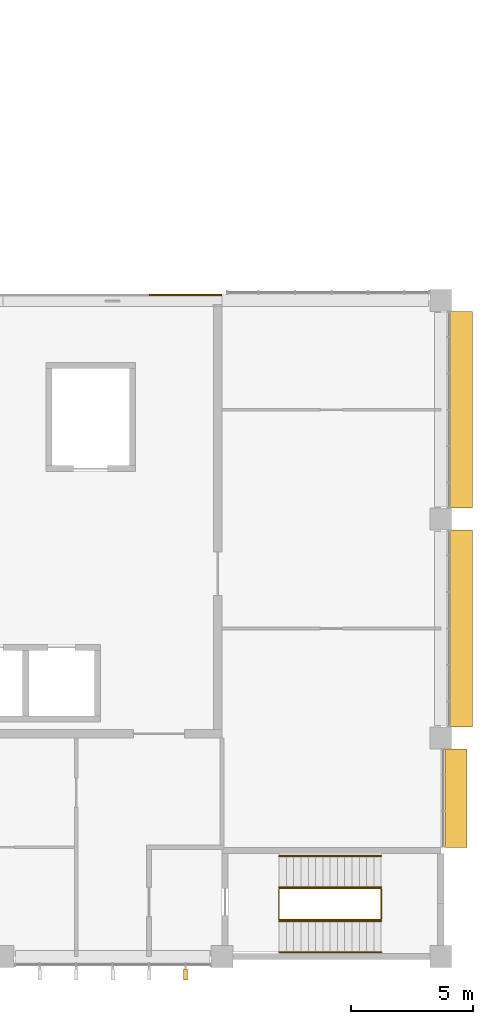
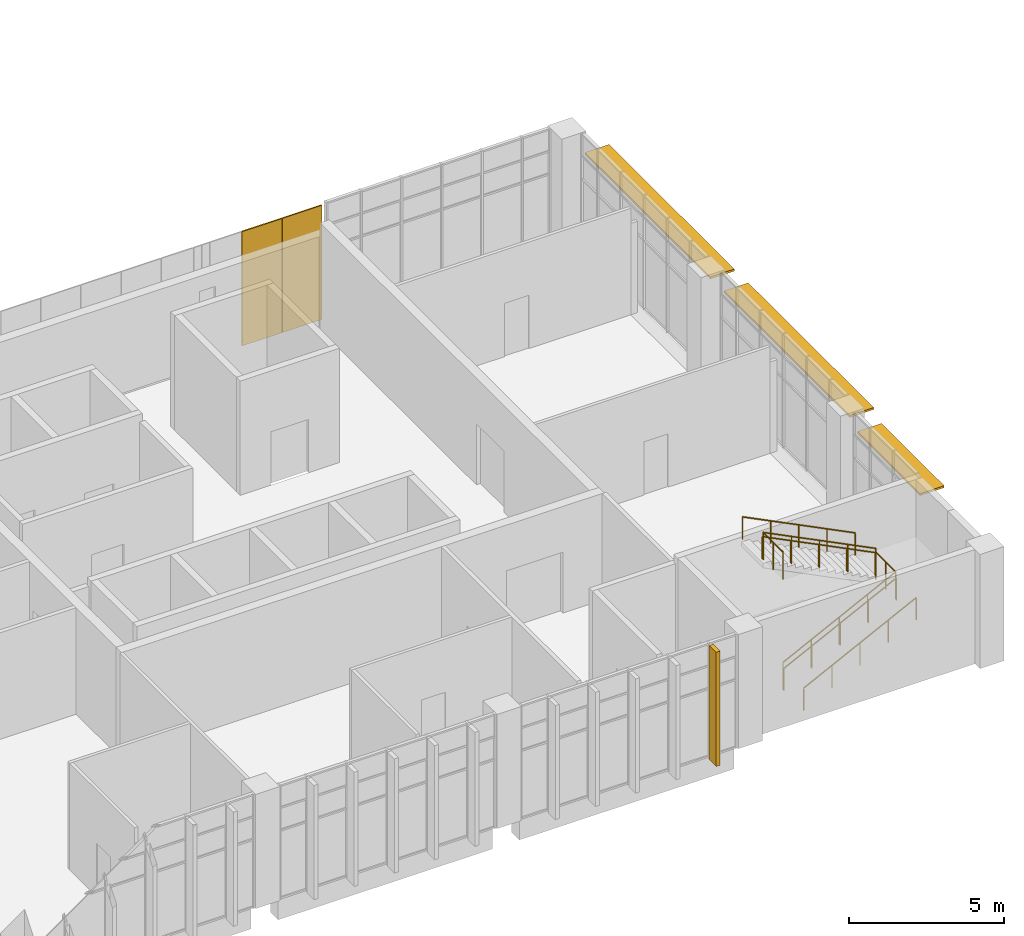
# One storey, part 103 of 106: 5 railings, 4 shading devices, 2 coverings.
"""IFC4 building model written with IfcOpenShell, lengths in metres."""

import ifcopenshell
import ifcopenshell.guid

model = None  # the IFC model being written
_history = None  # IfcOwnerHistory: only IFC2X3 demands one
_inside = {}  # id of a spatial element -> (the spatial element, [elements in it])
_under = {}  # id of a project, library or spatial element -> (it, [spatial elements below it])
_declared = {}  # id of a project -> (the project, [libraries it declares])
_typed = {}  # id of a type object -> (the type object, [elements of that type])
_made_of = {}  # id of a material, layer set ... -> (it, [elements and type objects made of it])


def new_model(schema):
    """Start an empty IFC model of exactly this schema.

    Asked for "IFC4X3", IfcOpenShell would pick the latest addendum, in which some entities
    have other attributes; the version numbers below select the first issue.
    IFC2X3 requires an IfcOwnerHistory on every rooted entity: one is made here for all.
    """
    global model, _history
    if schema == "IFC4X3":
        model = ifcopenshell.file(schema_version=(4, 3, 0, 0))
    else:
        model = ifcopenshell.file(schema=schema)
    _inside.clear()
    _under.clear()
    _declared.clear()
    _typed.clear()
    _made_of.clear()
    _history = None
    if model.schema == "IFC2X3":
        org = make("IfcOrganization", Name="unknown")
        user = make(
            "IfcPersonAndOrganization",
            ThePerson=make("IfcPerson", FamilyName="unknown"),
            TheOrganization=org,
        )
        app = make(
            "IfcApplication",
            ApplicationDeveloper=org,
            Version="unknown",
            ApplicationFullName="unknown",
            ApplicationIdentifier="unknown",
        )
        _history = make(
            "IfcOwnerHistory",
            OwningUser=user,
            OwningApplication=app,
            ChangeAction="ADDED",
            CreationDate=0,
        )
    return model


def make(cls, **values):
    """One entity of the class cls with the attributes given. An attribute that is None is left unset."""
    return model.create_entity(
        cls, **{name: value for name, value in values.items() if value is not None}
    )


def rooted(cls, **values):
    """An entity with a GlobalId (a new one), such as an element, a storey or a relation."""
    return make(cls, GlobalId=ifcopenshell.guid.new(), OwnerHistory=_history, **values)


def si_unit(unit_type, name, prefix=None):
    """IfcSIUnit, for example si_unit("LENGTHUNIT", "METRE", prefix="MILLI")."""
    return make("IfcSIUnit", UnitType=unit_type, Prefix=prefix, Name=name)


def assignment(units):
    """IfcUnitAssignment: the units of a project."""
    return None if units is None else make("IfcUnitAssignment", Units=units)


def point(xyz):
    """IfcCartesianPoint."""
    return None if xyz is None else make("IfcCartesianPoint", Coordinates=xyz)


def direction(xyz):
    """IfcDirection."""
    return None if xyz is None else make("IfcDirection", DirectionRatios=xyz)


def frame(location, z_axis=None, x_axis=None):
    """IfcAxis2Placement3D, a coordinate frame: its origin and axes. An axis left out is left unset."""
    return make(
        "IfcAxis2Placement3D",
        Location=point(location),
        Axis=direction(z_axis),
        RefDirection=direction(x_axis),
    )


def frame_2d(location, x_axis=None):
    """IfcAxis2Placement2D, a coordinate frame in the plane: its origin and x axis."""
    return make(
        "IfcAxis2Placement2D", Location=point(location), RefDirection=direction(x_axis)
    )


def origin():
    """The frame at (0, 0, 0) with its axes left unset."""
    return frame((0.0, 0.0, 0.0))


def origin_2d():
    """The frame at (0, 0) in the plane with its x axis left unset."""
    return frame_2d((0.0, 0.0))


def place(relative_to, where):
    """IfcLocalPlacement: puts the frame where relative to a parent placement (None: the world)."""
    return make(
        "IfcLocalPlacement", PlacementRelTo=relative_to, RelativePlacement=where
    )


def context(
    kind, dimensions, precision=None, world=None, true_north=None, identifier=None
):
    """IfcGeometricRepresentationContext, for example the 3D "Model" context."""
    return make(
        "IfcGeometricRepresentationContext",
        ContextIdentifier=identifier,
        ContextType=kind,
        CoordinateSpaceDimension=dimensions,
        Precision=precision,
        WorldCoordinateSystem=world,
        TrueNorth=true_north,
    )


def subcontext(parent, identifier, kind, view, scale=None):
    """IfcGeometricRepresentationSubContext, for example "Body" below "Model"."""
    return make(
        "IfcGeometricRepresentationSubContext",
        ContextIdentifier=identifier,
        ContextType=kind,
        ParentContext=parent,
        TargetScale=scale,
        TargetView=view,
    )


def project(units=None, contexts=None):
    """IfcProject with its units and contexts."""
    return rooted(
        "IfcProject",
        Name="project",
        RepresentationContexts=contexts,
        UnitsInContext=assignment(units),
    )


def spatial(cls, under=None, at=None, **own):
    """A site, building, storey or space (cls), placed at a placement, below another one or the project."""
    s = rooted(cls, ObjectPlacement=at, **own)
    if under is not None:
        _under.setdefault(under.id(), (under, []))[1].append(s)
    return s


def profile(cls, at=None, kind="AREA", **sizes):
    """A parametric profile (cls). Its sizes go by their IFC names, for example OverallWidth=200.0."""
    return make(cls, ProfileType=kind, Position=at, **sizes)


def rectangle(**sizes):
    """IfcRectangleProfileDef."""
    return profile("IfcRectangleProfileDef", **sizes)


def circle(**sizes):
    """IfcCircleProfileDef."""
    return profile("IfcCircleProfileDef", **sizes)


def extrude(swept, where, along, depth):
    """IfcExtrudedAreaSolid: the profile swept, set in the frame where, extruded along a direction by depth."""
    return make(
        "IfcExtrudedAreaSolid",
        SweptArea=swept,
        Position=where,
        ExtrudedDirection=direction(along),
        Depth=depth,
    )


def shape(context_of_items, identifier, shape_type, items):
    """IfcShapeRepresentation: the items that make up one representation, for example the "Body"."""
    return make(
        "IfcShapeRepresentation",
        ContextOfItems=context_of_items,
        RepresentationIdentifier=identifier,
        RepresentationType=shape_type,
        Items=items,
    )


def material(Name=None, Category=None):
    """IfcMaterial."""
    return make("IfcMaterial", Name=Name, Category=Category)


def layer(
    of_material, thickness, ventilated=None, Name=None, Category=None, Priority=None
):
    """IfcMaterialLayer: one layer of a wall or slab, of a material (None: an air gap)."""
    return make(
        "IfcMaterialLayer",
        Material=of_material,
        LayerThickness=thickness,
        IsVentilated=ventilated,
        Name=Name,
        Category=Category,
        Priority=Priority,
    )


def layer_set(layers, Name=None):
    """IfcMaterialLayerSet."""
    return make("IfcMaterialLayerSet", MaterialLayers=layers, LayerSetName=Name)


def made_of(thing, what):
    """Note that an element or type object is made of a material, layer set ...; save() writes the relation."""
    if what is not None:
        _made_of.setdefault(what.id(), (what, []))[1].append(thing)
    return thing


def type_object(cls, material=None, **own):
    """A type object (cls), such as IfcWallType, which elements share."""
    return made_of(rooted(cls, **own), material)


def element(
    cls,
    number,
    at=None,
    inside=None,
    cuts=None,
    type_object=None,
    material=None,
    context=None,
    identifier="Body",
    shape_type=None,
    held_by="IfcProductDefinitionShape",
    body=None,
    shapes=None,
    **own,
):
    """One element of the class cls, such as IfcWall. Its Tag is "e" and its number.

    at: its placement. inside: the storey or other place that contains it. cuts: it is an
    opening in that element (IfcRelVoidsElement). A single representation is given by context,
    identifier, shape_type and body (its items); several are given by shapes. held_by: the class
    of the entity that holds the representations. save() writes the other relations.
    """
    e = rooted(cls, Tag="e%d" % number, ObjectPlacement=at, **own)
    if body is not None:
        shapes = [shape(context, identifier, shape_type, body)]
    if shapes is not None:
        e.Representation = make(held_by, Representations=shapes)
    if inside is not None:
        _inside.setdefault(inside.id(), (inside, []))[1].append(e)
    if cuts is not None:
        rooted(
            "IfcRelVoidsElement", RelatingBuildingElement=cuts, RelatedOpeningElement=e
        )
    if type_object is not None:
        _typed.setdefault(type_object.id(), (type_object, []))[1].append(e)
    return made_of(e, material)


def aggregate(whole, parts):
    """IfcRelAggregates: a whole, such as a stair, and the parts it consists of."""
    return rooted("IfcRelAggregates", RelatingObject=whole, RelatedObjects=parts)


def save(model, path):
    """Write the relations noted so far, then the file.

    IfcRelAggregates (storeys below a building ...), IfcRelContainedInSpatialStructure (elements
    in a storey), IfcRelDefinesByType, IfcRelAssociatesMaterial and IfcRelDeclares: one each for
    every whole, place, type object, material and project.
    """
    for whole, parts in _under.values():
        aggregate(whole, parts)
    for where, things in _inside.values():
        rooted(
            "IfcRelContainedInSpatialStructure",
            RelatedElements=things,
            RelatingStructure=where,
        )
    for kind, things in _typed.values():
        rooted("IfcRelDefinesByType", RelatedObjects=things, RelatingType=kind)
    for what, things in _made_of.values():
        rooted("IfcRelAssociatesMaterial", RelatedObjects=things, RelatingMaterial=what)
    for by, libraries in _declared.values():
        rooted("IfcRelDeclares", RelatingContext=by, RelatedDefinitions=libraries)
    model.write(path)


model = new_model("IFC4")

# Units and contexts
model_context = context("Model", 3, precision=1e-05, world=origin(), true_north=direction((0.0, 1.0)))
body_context = subcontext(model_context, "Body", "Model", "MODEL_VIEW")
ifc_project = project(units=[si_unit("LENGTHUNIT", "METRE"), si_unit("AREAUNIT", "SQUARE_METRE"), si_unit("VOLUMEUNIT", "CUBIC_METRE"), si_unit("PLANEANGLEUNIT", "RADIAN"), si_unit("MASSUNIT", "GRAM", prefix="KILO")], contexts=[model_context])

# Site, building, storey
site_placement = place(None, origin())
site = spatial("IfcSite", under=ifc_project, at=site_placement, CompositionType="ELEMENT")
building_placement = place(site_placement, origin())
building = spatial("IfcBuilding", under=site, at=building_placement, Name="Guidao Yard Department Store", CompositionType="ELEMENT")
storey_placement = place(building_placement, frame((0.0, 0.0, 10.5)))
storey = spatial("IfcBuildingStorey", under=building, at=storey_placement, Name="L02", CompositionType="ELEMENT", Elevation=10.5)

# Coverings
ifc_material_1 = material(Name="Anodised aluminium 6063-T5 cladding", Category="aluminium")
ifc_layer_1 = layer(ifc_material_1, 0.050048828125)
ifc_layer_set_1 = layer_set([ifc_layer_1], Name="Facade cladding CP1 anodised aluminium panel 6063")
covering_type = type_object("IfcCoveringType", Name="Facade cladding CP1 anodised aluminium panel 6063", PredefinedType="CLADDING", material=ifc_layer_set_1)
for number, where, z_axis, x_axis, name in (
    (1, (159.75, 27.22509765625, 0.0), (0.0, 0.0, 1.0), (1.0, 0.0, 0.0), "Core face cladding"),
    (2, (161.25, 27.22509765625, 0.0), (0.0, 0.0, 1.0), (1.0, 0.0, 0.0), "Core face cladding"),
):
    element("IfcCovering", number, at=place(storey_placement, frame(where, z_axis=z_axis, x_axis=x_axis)), inside=storey, type_object=covering_type, Name=name, PredefinedType="CLADDING", context=body_context, shape_type="SweptSolid", body=[
        extrude(rectangle(XDim=1.47998046875, YDim=0.050048828125, at=origin_2d()), origin(), (0.0, 0.0, 1.0), 4.5),
    ])

# Railings
ifc_material_2 = material(Name="Steel Q235", Category="steel")
railing_type_1 = type_object("IfcRailingType", Name="Guard steel balustrade 1100", PredefinedType="GUARDRAIL", material=ifc_material_2)
railing_placement = place(storey_placement, frame((164.35009765625, 1.52490234375, 0.14990234375)))
element("IfcRailing", 3, at=railing_placement, inside=storey, type_object=railing_type_1, Name="Stair O2 guard L02 15", PredefinedType="GUARDRAIL", context=body_context, shape_type="SweptSolid", body=[
    extrude(circle(Radius=0.02392578125, at=origin_2d()), frame((0.0, 0.0, 1.076171875), z_axis=(0.894416792377, 0.0, 0.447234392142), x_axis=(0.0, 1.0, 0.0)), (0.0, 0.0, 1.0), 4.69580078125),
    extrude(circle(Radius=0.02392578125, at=origin_2d()), frame((4.199951171875, 0.0, 3.17626953125), z_axis=(0.0, 1.0, 0.0), x_axis=(-1.0, 0.0, 0.0)), (0.0, 0.0, 1.0), 1.275146484375),
    extrude(circle(Radius=0.02392578125, at=origin_2d()), frame((4.199951171875, 1.275146484375, 3.17626953125), z_axis=(0.0, 0.0, 1.0), x_axis=(1.0, 0.0, 0.0)), (0.0, 0.0, 1.0), 0.14990234375),
    extrude(circle(Radius=0.02392578125, at=origin_2d()), frame((4.199951171875, 1.275146484375, 3.326171875), z_axis=(-0.894416792377, 0.0, 0.447234392142), x_axis=(0.0, -1.0, 0.0)), (0.0, 0.0, 1.0), 4.69580078125),
    extrude(circle(Radius=0.02392578125, at=origin_2d()), frame((0.0, 1.275146484375, 5.42626953125), z_axis=(0.0, -1.0, 0.0), x_axis=(1.0, 0.0, 0.0)), (0.0, 0.0, 1.0), 1.275146484375),
    extrude(circle(Radius=0.02099609375, at=origin_2d()), origin(), (0.0, 0.0, 1.0), 1.052001953125),
    extrude(circle(Radius=0.02099609375, at=origin_2d()), frame((1.050048828125, 0.0, 0.52490234375)), (0.0, 0.0, 1.0), 1.052001953125),
    extrude(circle(Radius=0.02099609375, at=origin_2d()), frame((2.10009765625, 0.0, 1.050048828125)), (0.0, 0.0, 1.0), 1.052001953125),
    extrude(circle(Radius=0.02099609375, at=origin_2d()), frame((3.14990234375, 0.0, 1.5751953125)), (0.0, 0.0, 1.0), 1.052001953125),
    extrude(circle(Radius=0.02099609375, at=origin_2d()), frame((4.199951171875, 0.0, 2.10009765625)), (0.0, 0.0, 1.0), 1.052001953125),
    extrude(circle(Radius=0.02099609375, at=origin_2d()), frame((4.199951171875, 0.6376953125, 2.10009765625)), (0.0, 0.0, 1.0), 1.052001953125),
    extrude(circle(Radius=0.02099609375, at=origin_2d()), frame((4.199951171875, 1.275146484375, 2.10009765625)), (0.0, 0.0, 1.0), 1.052001953125),
    extrude(circle(Radius=0.02099609375, at=origin_2d()), frame((4.199951171875, 1.275146484375, 2.25)), (0.0, 0.0, 1.0), 1.052001953125),
    extrude(circle(Radius=0.02099609375, at=origin_2d()), frame((3.14990234375, 1.275146484375, 2.77490234375)), (0.0, 0.0, 1.0), 1.052001953125),
    extrude(circle(Radius=0.02099609375, at=origin_2d()), frame((2.10009765625, 1.275146484375, 3.300048828125)), (0.0, 0.0, 1.0), 1.052001953125),
    extrude(circle(Radius=0.02099609375, at=origin_2d()), frame((1.050048828125, 1.275146484375, 3.8251953125)), (0.0, 0.0, 1.0), 1.052001953125),
    extrude(circle(Radius=0.02099609375, at=origin_2d()), frame((0.0, 1.275146484375, 4.35009765625)), (0.0, 0.0, 1.0), 1.052001953125),
    extrude(circle(Radius=0.02099609375, at=origin_2d()), frame((0.0, 0.6376953125, 4.35009765625)), (0.0, 0.0, 1.0), 1.052001953125),
    extrude(circle(Radius=0.02099609375, at=origin_2d()), frame((0.0, 0.0, 4.35009765625)), (0.0, 0.0, 1.0), 1.052001953125),
])
ifc_material_3 = material(Name="Steel Q235", Category="steel")
railing_type_2 = type_object("IfcRailingType", Name="Handrail steel tube 48", PredefinedType="HANDRAIL", material=ifc_material_3)
for number, where, name in (
    (4, (164.35009765625, 0.18505859375, 0.14990234375), "Stair O2 hand rail L02 53"),
    (5, (164.35009765625, 1.465087890625, 0.14990234375), "Stair O2 hand rail L02 54"),
):
    element("IfcRailing", number, at=place(storey_placement, frame(where)), inside=storey, type_object=railing_type_2, Name=name, PredefinedType="HANDRAIL", context=body_context, shape_type="SweptSolid", body=[
        extrude(circle(Radius=0.02392578125, at=origin_2d()), frame((0.0, 0.0, 0.8759765625), z_axis=(0.894416792377, 0.0, 0.447234392142), x_axis=(0.0, 1.0, 0.0)), (0.0, 0.0, 1.0), 4.69580078125),
        extrude(circle(Radius=0.02099609375, at=origin_2d()), origin(), (0.0, 0.0, 1.0), 0.851806640625),
        extrude(circle(Radius=0.02099609375, at=origin_2d()), frame((1.050048828125, 0.0, 0.52490234375)), (0.0, 0.0, 1.0), 0.851806640625),
        extrude(circle(Radius=0.02099609375, at=origin_2d()), frame((2.10009765625, 0.0, 1.050048828125)), (0.0, 0.0, 1.0), 0.851806640625),
        extrude(circle(Radius=0.02099609375, at=origin_2d()), frame((3.14990234375, 0.0, 1.5751953125)), (0.0, 0.0, 1.0), 0.851806640625),
        extrude(circle(Radius=0.02099609375, at=origin_2d()), frame((4.199951171875, 0.0, 2.10009765625)), (0.0, 0.0, 1.0), 0.851806640625),
    ])
for number, where, name in (
    (6, (168.550048828125, 2.860107421875, 2.39990234375), "Stair O2 hand rail L02 55"),
    (7, (168.550048828125, 4.139892578125, 2.39990234375), "Stair O2 hand rail L02 56"),
):
    element("IfcRailing", number, at=place(storey_placement, frame(where)), inside=storey, type_object=railing_type_2, Name=name, PredefinedType="HANDRAIL", context=body_context, shape_type="SweptSolid", body=[
        extrude(circle(Radius=0.02392578125, at=origin_2d()), frame((0.0, 0.0, 0.8759765625), z_axis=(-0.894416792377, 0.0, 0.447234392142), x_axis=(0.0, -1.0, 0.0)), (0.0, 0.0, 1.0), 4.69580078125),
        extrude(circle(Radius=0.02099609375, at=origin_2d()), origin(), (0.0, 0.0, 1.0), 0.851806640625),
        extrude(circle(Radius=0.02099609375, at=origin_2d()), frame((-1.050048828125, 0.0, 0.52490234375)), (0.0, 0.0, 1.0), 0.851806640625),
        extrude(circle(Radius=0.02099609375, at=origin_2d()), frame((-2.10009765625, 0.0, 1.050048828125)), (0.0, 0.0, 1.0), 0.851806640625),
        extrude(circle(Radius=0.02099609375, at=origin_2d()), frame((-3.14990234375, 0.0, 1.5751953125)), (0.0, 0.0, 1.0), 0.851806640625),
        extrude(circle(Radius=0.02099609375, at=origin_2d()), frame((-4.199951171875, 0.0, 2.10009765625)), (0.0, 0.0, 1.0), 0.851806640625),
    ])

# Shading devices
ifc_material_4 = material(Name="Aluminium 6063-T5", Category="aluminium")
ifc_layer_2 = layer(ifc_material_4, 0.080078125)
ifc_layer_set_2 = layer_set([ifc_layer_2], Name="Sunshade blade SB1 aluminium")
shading_device_type_1 = type_object("IfcShadingDeviceType", Name="Sunshade blade SB1 aluminium", PredefinedType="SHUTTER", material=ifc_layer_set_2)
shading_device_1_placement = place(storey_placement, frame((171.6298828125, 6.52490234375, 3.599853515625), z_axis=(0.0, 0.0, 1.0), x_axis=(0.0, -1.0, 0.0)))
element("IfcShadingDevice", 8, at=shading_device_1_placement, inside=storey, type_object=shading_device_type_1, Name="Sunshade blade", PredefinedType="SHUTTER", context=body_context, shape_type="SweptSolid", body=[
    extrude(rectangle(XDim=4.050048828125, YDim=0.89990234375, at=origin_2d()), origin(), (0.0, 0.0, 1.0), 0.080078125),
])
for number, where, z_axis, x_axis, name in (
    (9, (171.860107421875, 13.5, 3.599853515625), (0.0, 0.0, 1.0), (0.0, -1.0, 0.0), "Sunshade blade"),
    (10, (171.860107421875, 22.5, 3.599853515625), (0.0, 0.0, 1.0), (0.0, -1.0, 0.0), "Sunshade blade"),
):
    element("IfcShadingDevice", number, at=place(storey_placement, frame(where, z_axis=z_axis, x_axis=x_axis)), inside=storey, type_object=shading_device_type_1, Name=name, PredefinedType="SHUTTER", context=body_context, shape_type="SweptSolid", body=[
        extrude(rectangle(XDim=8.10009765625, YDim=0.89990234375, at=origin_2d()), origin(), (0.0, 0.0, 1.0), 0.080078125),
    ])
ifc_material_5 = material(Name="Aluminium 6063-T5", Category="aluminium")
shading_device_type_2 = type_object("IfcShadingDeviceType", Name="Vertical fin FN2 aluminium 150 x 450", PredefinedType="SHUTTER", material=ifc_material_5)
shading_device_2_placement = place(storey_placement, frame((160.5, -0.735107421875, 0.0), z_axis=(0.0, 0.0, 1.0), x_axis=(-1.0, 0.0, 0.0)))
element("IfcShadingDevice", 11, at=shading_device_2_placement, inside=storey, type_object=shading_device_type_2, Name="Vertical fin", PredefinedType="SHUTTER", context=body_context, shape_type="SweptSolid", body=[
    extrude(rectangle(XDim=0.14990234375, YDim=0.449951171875, at=origin_2d()), origin(), (0.0, 0.0, 1.0), 4.5),
])

save(model, "model.ifc")
